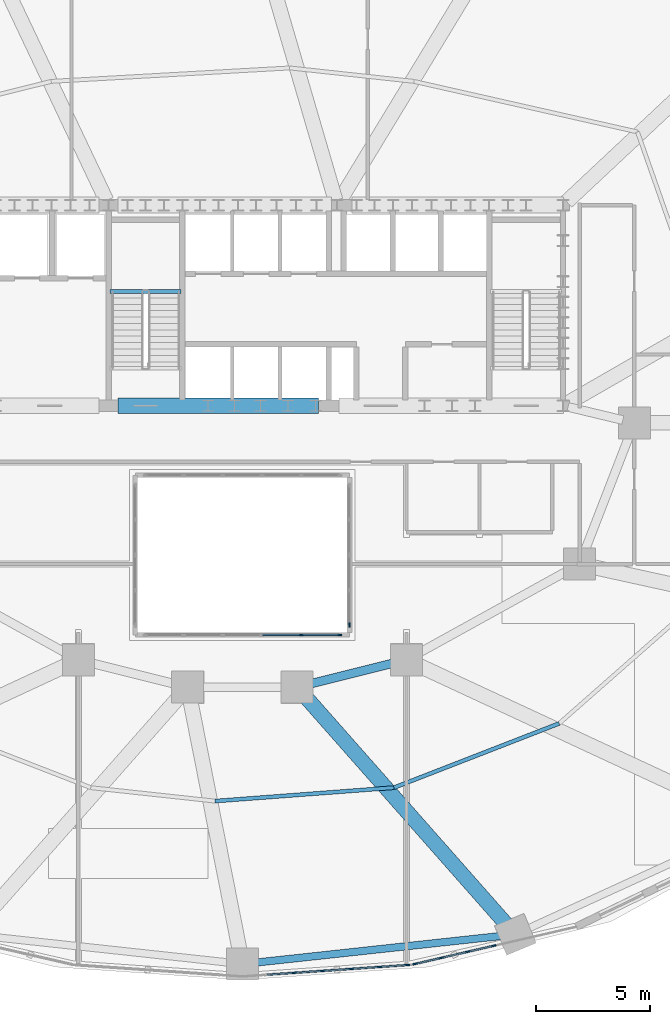
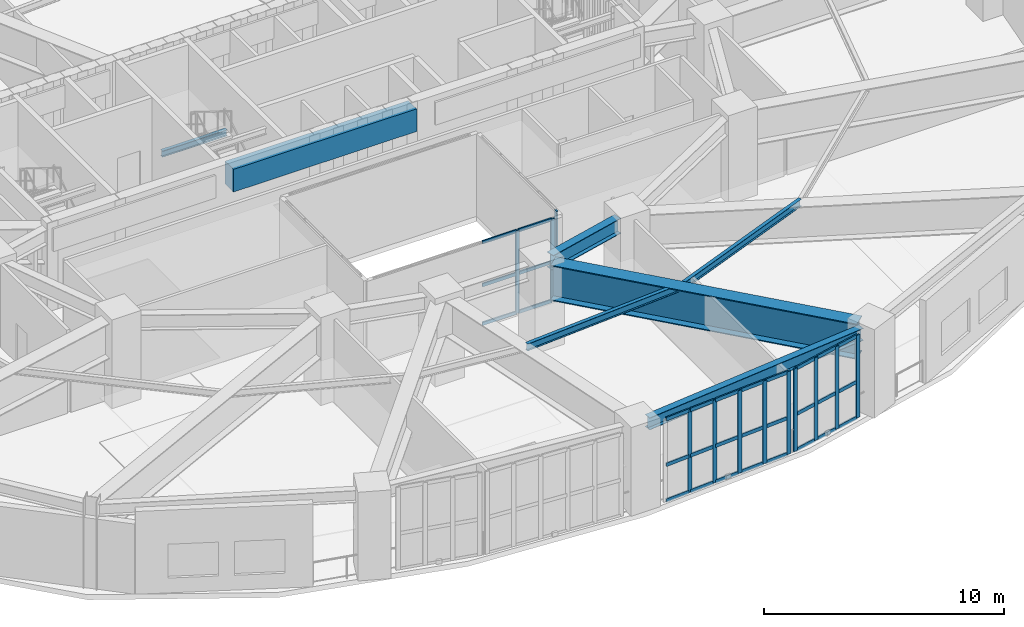
# One storey, part 5 of 13: 42 members, 7 beams, 4 elements without a shape of their own.
"""IFC4 building model written with IfcOpenShell, lengths in metres."""

from ifc_helpers import new_model, si_unit, direction, frame, origin, origin_2d, place, context, subcontext, project, spatial, rectangle, i_section, extrude, material, material_profile, profile_set, type_object, element, aggregate, save


model = new_model("IFC4")

# Units and contexts
model_context = context("Model", 3, precision=1e-05, world=origin(), true_north=direction((0.0, 1.0)))
body_context = subcontext(model_context, "Body", "Model", "MODEL_VIEW")
ifc_project = project(units=[si_unit("LENGTHUNIT", "METRE"), si_unit("AREAUNIT", "SQUARE_METRE"), si_unit("VOLUMEUNIT", "CUBIC_METRE"), si_unit("PLANEANGLEUNIT", "RADIAN"), si_unit("MASSUNIT", "GRAM", prefix="KILO")], contexts=[model_context])

# Site, building, storey
site_placement = place(None, origin())
site = spatial("IfcSite", under=ifc_project, at=site_placement, CompositionType="ELEMENT")
building_placement = place(site_placement, origin())
building = spatial("IfcBuilding", under=site, at=building_placement, Name="Haldorwick Loom Tower", CompositionType="ELEMENT")
storey_placement = place(building_placement, frame((0.0, 0.0, 72.300048828125)))
storey = spatial("IfcBuildingStorey", under=building, at=storey_placement, Name="L19", CompositionType="ELEMENT", Elevation=72.300048828125)

# Curtain wall, members
ifc_material_1 = material(Name="Thermally Broken Anodized Aluminium Curtain Wall Framing", Category="aluminium")
curtain_wall_type_1 = type_object("IfcCurtainWallType", Name="ARC-CW-03", PredefinedType="NOTDEFINED", material=ifc_material_1)
curtain_wall_1_placement = place(storey_placement, origin())
curtain_wall_1 = element("IfcCurtainWall", 1, at=curtain_wall_1_placement, inside=storey, type_object=curtain_wall_type_1, Name="L19 Atrium Glazed Screen S", PredefinedType="NOTDEFINED")
ifc_material_profile_1 = material_profile(ifc_material_1, rectangle(XDim=0.06591796875, YDim=0.18505859375, at=origin_2d()), Name="ALU_MUL_66X185", Category="aluminium")
ifc_profile_set_1 = profile_set([ifc_material_profile_1], Name="Thermally Broken Anodized Aluminium Curtain Wall Framing")
member_type_1 = type_object("IfcMemberType", Name="ARC-CWM-03", PredefinedType="MULLION", material=ifc_profile_set_1)
member_1_placement = place(storey_placement, frame((40.26708984375, 16.699951171875, 0.0), z_axis=(0.0, 0.0, 1.0), x_axis=(0.0, -1.0, 0.0)))
member_1 = element("IfcMember", 2, at=member_1_placement, type_object=member_type_1, Name="CW-03 mullion 1", PredefinedType="MULLION", context=body_context, shape_type="SweptSolid", body=[
    extrude(rectangle(XDim=0.06591796875, YDim=0.18505859375, at=origin_2d()), origin(), (0.0, 0.0, 1.0), 4.199951171875),
])
member_2_placement = place(storey_placement, frame((38.580078125, 16.699951171875, 0.0), z_axis=(0.0, 0.0, 1.0), x_axis=(0.0, -1.0, 0.0)))
member_2 = element("IfcMember", 3, at=member_2_placement, type_object=member_type_1, Name="CW-03 mullion 2", PredefinedType="MULLION", context=body_context, shape_type="SweptSolid", body=[
    extrude(rectangle(XDim=0.06591796875, YDim=0.18505859375, at=origin_2d()), origin(), (0.0, 0.0, 1.0), 4.199951171875),
])

# Curtain wall, member
curtain_wall_2_placement = place(storey_placement, origin())
curtain_wall_2 = element("IfcCurtainWall", 4, at=curtain_wall_2_placement, inside=storey, type_object=curtain_wall_type_1, Name="L19 Atrium Glazed Screen E", PredefinedType="NOTDEFINED")
member_3_placement = place(storey_placement, frame((40.699951171875, 17.133056640625, 0.0), z_axis=(0.0, 0.0, 1.0), x_axis=(1.0, 0.0, 0.0)))
member_3 = element("IfcMember", 5, at=member_3_placement, type_object=member_type_1, Name="CW-03 mullion 5", PredefinedType="MULLION", context=body_context, shape_type="SweptSolid", body=[
    extrude(rectangle(XDim=0.06591796875, YDim=0.18505859375, at=origin_2d()), origin(), (0.0, 0.0, 1.0), 4.199951171875),
])
aggregate(curtain_wall_2, [member_3])

# Curtain wall, members
curtain_wall_type_2 = type_object("IfcCurtainWallType", Name="ARC-CW-05", PredefinedType="NOTDEFINED", material=ifc_material_1)
curtain_wall_3_placement = place(storey_placement, origin())
curtain_wall_3 = element("IfcCurtainWall", 6, at=curtain_wall_3_placement, inside=storey, type_object=curtain_wall_type_2, Name="L19 Facade Curtain Wall CW-05 Bay 19", PredefinedType="NOTDEFINED")
ifc_material_profile_2 = material_profile(ifc_material_1, rectangle(XDim=0.068115234375, YDim=0.201904296875, at=origin_2d()), Name="ALU_MUL_68X202", Category="aluminium")
ifc_profile_set_2 = profile_set([ifc_material_profile_2], Name="Thermally Broken Anodized Aluminium Curtain Wall Framing")
member_type_2 = type_object("IfcMemberType", Name="ARC-CWM-05", PredefinedType="MULLION", material=ifc_profile_set_2)
member_4_placement = place(storey_placement, frame((38.281982421875, 1.866943359375, 0.0), z_axis=(0.0, 0.0, 1.0), x_axis=(-0.068589093134, 0.997644995128, 0.0)))
member_4 = element("IfcMember", 7, at=member_4_placement, type_object=member_type_2, Name="CW-05 mullion 2", PredefinedType="MULLION", context=body_context, shape_type="SweptSolid", body=[
    extrude(rectangle(XDim=0.068115234375, YDim=0.201904296875, at=origin_2d()), origin(), (0.0, 0.0, 1.0), 4.199951171875),
])
member_5_placement = place(storey_placement, frame((39.529296875, 1.95263671875, 0.0), z_axis=(0.0, 0.0, 1.0), x_axis=(-0.068589093134, 0.997644995128, 0.0)))
member_5 = element("IfcMember", 8, at=member_5_placement, type_object=member_type_2, Name="CW-05 mullion 3", PredefinedType="MULLION", context=body_context, shape_type="SweptSolid", body=[
    extrude(rectangle(XDim=0.068115234375, YDim=0.201904296875, at=origin_2d()), origin(), (0.0, 0.0, 1.0), 4.199951171875),
])
member_6_placement = place(storey_placement, frame((40.77685546875, 2.038330078125, 0.0), z_axis=(0.0, 0.0, 1.0), x_axis=(-0.068589093134, 0.997644995128, 0.0)))
member_6 = element("IfcMember", 9, at=member_6_placement, type_object=member_type_2, Name="CW-05 mullion 4", PredefinedType="MULLION", context=body_context, shape_type="SweptSolid", body=[
    extrude(rectangle(XDim=0.068115234375, YDim=0.201904296875, at=origin_2d()), origin(), (0.0, 0.0, 1.0), 4.199951171875),
])
member_7_placement = place(storey_placement, frame((42.024169921875, 2.1240234375, 0.0), z_axis=(0.0, 0.0, 1.0), x_axis=(-0.068589093134, 0.997644995128, 0.0)))
member_7 = element("IfcMember", 10, at=member_7_placement, type_object=member_type_2, Name="CW-05 mullion 5", PredefinedType="MULLION", context=body_context, shape_type="SweptSolid", body=[
    extrude(rectangle(XDim=0.068115234375, YDim=0.201904296875, at=origin_2d()), origin(), (0.0, 0.0, 1.0), 4.199951171875),
])
member_8_placement = place(storey_placement, frame((43.23779296875, 2.20751953125, 0.0), z_axis=(0.0, 0.0, 1.0), x_axis=(-0.068589093134, 0.997644995128, 0.0)))
member_8 = element("IfcMember", 11, at=member_8_placement, type_object=member_type_2, Name="CW-05 mullion 6", PredefinedType="MULLION", context=body_context, shape_type="SweptSolid", body=[
    extrude(rectangle(XDim=0.068115234375, YDim=0.201904296875, at=origin_2d()), origin(), (0.0, 0.0, 1.0), 4.199951171875),
])

curtain_wall_4_placement = place(storey_placement, origin())
curtain_wall_4 = element("IfcCurtainWall", 12, at=curtain_wall_4_placement, inside=storey, type_object=curtain_wall_type_2, Name="L19 Facade Curtain Wall CW-05 Bay 20", PredefinedType="NOTDEFINED")
member_9_placement = place(storey_placement, frame((43.580810546875, 2.258544921875, 0.0), z_axis=(0.0, 0.0, 1.0), x_axis=(-0.224288756442, 0.974522731256, 0.0)))
member_9 = element("IfcMember", 13, at=member_9_placement, type_object=member_type_2, Name="CW-05 mullion 1", PredefinedType="MULLION", context=body_context, shape_type="SweptSolid", body=[
    extrude(rectangle(XDim=0.068115234375, YDim=0.201904296875, at=origin_2d()), origin(), (0.0, 0.0, 1.0), 4.199951171875),
])
member_10_placement = place(storey_placement, frame((44.719970703125, 2.520751953125, 0.0), z_axis=(0.0, 0.0, 1.0), x_axis=(-0.224288756442, 0.974522731256, 0.0)))
member_10 = element("IfcMember", 14, at=member_10_placement, type_object=member_type_2, Name="CW-05 mullion 2", PredefinedType="MULLION", context=body_context, shape_type="SweptSolid", body=[
    extrude(rectangle(XDim=0.068115234375, YDim=0.201904296875, at=origin_2d()), origin(), (0.0, 0.0, 1.0), 4.199951171875),
])
member_11_placement = place(storey_placement, frame((45.892333984375, 2.79052734375, 0.0), z_axis=(0.0, 0.0, 1.0), x_axis=(-0.224288756442, 0.974522731256, 0.0)))
member_11 = element("IfcMember", 15, at=member_11_placement, type_object=member_type_2, Name="CW-05 mullion 3", PredefinedType="MULLION", context=body_context, shape_type="SweptSolid", body=[
    extrude(rectangle(XDim=0.068115234375, YDim=0.201904296875, at=origin_2d()), origin(), (0.0, 0.0, 1.0), 4.199951171875),
])
member_12_placement = place(storey_placement, frame((47.03125, 3.052734375, 0.0), z_axis=(0.0, 0.0, 1.0), x_axis=(-0.224288756442, 0.974522731256, 0.0)))
member_12 = element("IfcMember", 16, at=member_12_placement, type_object=member_type_2, Name="CW-05 mullion 4", PredefinedType="MULLION", context=body_context, shape_type="SweptSolid", body=[
    extrude(rectangle(XDim=0.068115234375, YDim=0.201904296875, at=origin_2d()), origin(), (0.0, 0.0, 1.0), 4.199951171875),
])

# Member
ifc_material_profile_3 = material_profile(ifc_material_1, rectangle(XDim=0.06591796875, YDim=0.1650390625, at=origin_2d()), Name="ALU_TRN_66X165", Category="aluminium")
ifc_profile_set_3 = profile_set([ifc_material_profile_3], Name="Thermally Broken Anodized Aluminium Curtain Wall Framing")
member_type_3 = type_object("IfcMemberType", Name="ARC-CWT-03", PredefinedType="USERDEFINED", material=ifc_profile_set_3)
member_13_placement = place(storey_placement, frame((40.23388671875, 16.699951171875, 0.032958984375), z_axis=(-1.0, 0.0, 0.0), x_axis=(0.0, -1.0, 0.0)))
member_13 = element("IfcMember", 17, at=member_13_placement, type_object=member_type_3, Name="CW-03 transom 1.1", ObjectType="TRANSOM", PredefinedType="USERDEFINED", context=body_context, shape_type="SweptSolid", body=[
    extrude(rectangle(XDim=0.06591796875, YDim=0.1650390625, at=origin_2d()), origin(), (0.0, 0.0, 1.0), 1.620849609375),
])

member_14_placement = place(storey_placement, frame((40.23388671875, 16.699951171875, 2.0), z_axis=(-1.0, 0.0, 0.0), x_axis=(0.0, -1.0, 0.0)))
member_14 = element("IfcMember", 18, at=member_14_placement, type_object=member_type_3, Name="CW-03 transom 1.2", ObjectType="TRANSOM", PredefinedType="USERDEFINED", context=body_context, shape_type="SweptSolid", body=[
    extrude(rectangle(XDim=0.06591796875, YDim=0.1650390625, at=origin_2d()), origin(), (0.0, 0.0, 1.0), 1.620849609375),
])

member_15_placement = place(storey_placement, frame((40.23388671875, 16.699951171875, 4.1669921875), z_axis=(-1.0, 0.0, 0.0), x_axis=(0.0, -1.0, 0.0)))
member_15 = element("IfcMember", 19, at=member_15_placement, type_object=member_type_3, Name="CW-03 transom 1.3", ObjectType="TRANSOM", PredefinedType="USERDEFINED", context=body_context, shape_type="SweptSolid", body=[
    extrude(rectangle(XDim=0.06591796875, YDim=0.1650390625, at=origin_2d()), origin(), (0.0, 0.0, 1.0), 1.620849609375),
])

member_16_placement = place(storey_placement, frame((38.547119140625, 16.699951171875, 0.032958984375), z_axis=(-1.0, 0.0, 0.0), x_axis=(0.0, -1.0, 0.0)))
member_16 = element("IfcMember", 20, at=member_16_placement, type_object=member_type_3, Name="CW-03 transom 2.1", ObjectType="TRANSOM", PredefinedType="USERDEFINED", context=body_context, shape_type="SweptSolid", body=[
    extrude(rectangle(XDim=0.06591796875, YDim=0.1650390625, at=origin_2d()), origin(), (0.0, 0.0, 1.0), 1.654052734375),
])

member_17_placement = place(storey_placement, frame((38.547119140625, 16.699951171875, 2.0), z_axis=(-1.0, 0.0, 0.0), x_axis=(0.0, -1.0, 0.0)))
member_17 = element("IfcMember", 21, at=member_17_placement, type_object=member_type_3, Name="CW-03 transom 2.2", ObjectType="TRANSOM", PredefinedType="USERDEFINED", context=body_context, shape_type="SweptSolid", body=[
    extrude(rectangle(XDim=0.06591796875, YDim=0.1650390625, at=origin_2d()), origin(), (0.0, 0.0, 1.0), 1.654052734375),
])

member_18_placement = place(storey_placement, frame((38.547119140625, 16.699951171875, 4.1669921875), z_axis=(-1.0, 0.0, 0.0), x_axis=(0.0, -1.0, 0.0)))
member_18 = element("IfcMember", 22, at=member_18_placement, type_object=member_type_3, Name="CW-03 transom 2.3", ObjectType="TRANSOM", PredefinedType="USERDEFINED", context=body_context, shape_type="SweptSolid", body=[
    extrude(rectangle(XDim=0.06591796875, YDim=0.1650390625, at=origin_2d()), origin(), (0.0, 0.0, 1.0), 1.654052734375),
])

aggregate(curtain_wall_1, [member_1, member_2, member_13, member_14, member_15, member_16, member_17, member_18])

ifc_material_profile_4 = material_profile(ifc_material_1, rectangle(XDim=0.068115234375, YDim=0.181884765625, at=origin_2d()), Name="ALU_TRN_68X182", Category="aluminium")
ifc_profile_set_4 = profile_set([ifc_material_profile_4], Name="Thermally Broken Anodized Aluminium Curtain Wall Framing")
member_type_4 = type_object("IfcMemberType", Name="ARC-CWT-05", PredefinedType="USERDEFINED", material=ifc_profile_set_4)
member_19_placement = place(storey_placement, frame((37.1025390625, 1.78564453125, 0.033935546875), z_axis=(0.997638876056, 0.068678038569, 0.0), x_axis=(-0.068678038569, 0.997638876056, 0.0)))
member_19 = element("IfcMember", 23, at=member_19_placement, type_object=member_type_4, Name="CW-05 transom 1.1", ObjectType="TRANSOM", PredefinedType="USERDEFINED", context=body_context, shape_type="SweptSolid", body=[
    extrude(rectangle(XDim=0.068115234375, YDim=0.181884765625, at=origin_2d()), origin(), (0.0, 0.0, 1.0), 1.148193359375),
])

member_20_placement = place(storey_placement, frame((37.1025390625, 1.78564453125, 1.849853515625), z_axis=(0.997638876056, 0.068678038569, 0.0), x_axis=(-0.068678038569, 0.997638876056, 0.0)))
member_20 = element("IfcMember", 24, at=member_20_placement, type_object=member_type_4, Name="CW-05 transom 1.2", ObjectType="TRANSOM", PredefinedType="USERDEFINED", context=body_context, shape_type="SweptSolid", body=[
    extrude(rectangle(XDim=0.068115234375, YDim=0.181884765625, at=origin_2d()), origin(), (0.0, 0.0, 1.0), 1.148193359375),
])

member_21_placement = place(storey_placement, frame((37.1025390625, 1.78564453125, 4.166015625), z_axis=(0.997638876056, 0.068678038569, 0.0), x_axis=(-0.068678038569, 0.997638876056, 0.0)))
member_21 = element("IfcMember", 25, at=member_21_placement, type_object=member_type_4, Name="CW-05 transom 1.3", ObjectType="TRANSOM", PredefinedType="USERDEFINED", context=body_context, shape_type="SweptSolid", body=[
    extrude(rectangle(XDim=0.068115234375, YDim=0.181884765625, at=origin_2d()), origin(), (0.0, 0.0, 1.0), 1.148193359375),
])

member_22_placement = place(storey_placement, frame((38.31591796875, 1.869140625, 0.033935546875), z_axis=(0.997646917829, 0.068561121242, 0.0), x_axis=(-0.068561121242, 0.997646917829, 0.0)))
member_22 = element("IfcMember", 26, at=member_22_placement, type_object=member_type_4, Name="CW-05 transom 2.1", ObjectType="TRANSOM", PredefinedType="USERDEFINED", context=body_context, shape_type="SweptSolid", body=[
    extrude(rectangle(XDim=0.068115234375, YDim=0.181884765625, at=origin_2d()), origin(), (0.0, 0.0, 1.0), 1.18212890625),
])

member_23_placement = place(storey_placement, frame((38.31591796875, 1.869140625, 1.849853515625), z_axis=(0.997646917829, 0.068561121242, 0.0), x_axis=(-0.068561121242, 0.997646917829, 0.0)))
member_23 = element("IfcMember", 27, at=member_23_placement, type_object=member_type_4, Name="CW-05 transom 2.2", ObjectType="TRANSOM", PredefinedType="USERDEFINED", context=body_context, shape_type="SweptSolid", body=[
    extrude(rectangle(XDim=0.068115234375, YDim=0.181884765625, at=origin_2d()), origin(), (0.0, 0.0, 1.0), 1.18212890625),
])

member_24_placement = place(storey_placement, frame((38.31591796875, 1.869140625, 4.166015625), z_axis=(0.997646917829, 0.068561121242, 0.0), x_axis=(-0.068561121242, 0.997646917829, 0.0)))
member_24 = element("IfcMember", 28, at=member_24_placement, type_object=member_type_4, Name="CW-05 transom 2.3", ObjectType="TRANSOM", PredefinedType="USERDEFINED", context=body_context, shape_type="SweptSolid", body=[
    extrude(rectangle(XDim=0.068115234375, YDim=0.181884765625, at=origin_2d()), origin(), (0.0, 0.0, 1.0), 1.18212890625),
])

member_25_placement = place(storey_placement, frame((39.563232421875, 1.954833984375, 0.033935546875), z_axis=(0.997633747894, 0.068752491318, 0.0), x_axis=(-0.068752491318, 0.997633747894, 0.0)))
member_25 = element("IfcMember", 29, at=member_25_placement, type_object=member_type_4, Name="CW-05 transom 3.1", ObjectType="TRANSOM", PredefinedType="USERDEFINED", context=body_context, shape_type="SweptSolid", body=[
    extrude(rectangle(XDim=0.068115234375, YDim=0.181884765625, at=origin_2d()), origin(), (0.0, 0.0, 1.0), 1.182373046875),
])

member_26_placement = place(storey_placement, frame((39.563232421875, 1.954833984375, 1.849853515625), z_axis=(0.997633747894, 0.068752491318, 0.0), x_axis=(-0.068752491318, 0.997633747894, 0.0)))
member_26 = element("IfcMember", 30, at=member_26_placement, type_object=member_type_4, Name="CW-05 transom 3.2", ObjectType="TRANSOM", PredefinedType="USERDEFINED", context=body_context, shape_type="SweptSolid", body=[
    extrude(rectangle(XDim=0.068115234375, YDim=0.181884765625, at=origin_2d()), origin(), (0.0, 0.0, 1.0), 1.182373046875),
])

member_27_placement = place(storey_placement, frame((39.563232421875, 1.954833984375, 4.166015625), z_axis=(0.997633747894, 0.068752491318, 0.0), x_axis=(-0.068752491318, 0.997633747894, 0.0)))
member_27 = element("IfcMember", 31, at=member_27_placement, type_object=member_type_4, Name="CW-05 transom 3.3", ObjectType="TRANSOM", PredefinedType="USERDEFINED", context=body_context, shape_type="SweptSolid", body=[
    extrude(rectangle(XDim=0.068115234375, YDim=0.181884765625, at=origin_2d()), origin(), (0.0, 0.0, 1.0), 1.182373046875),
])

member_28_placement = place(storey_placement, frame((40.810791015625, 2.040771484375, 0.033935546875), z_axis=(0.997646917829, 0.068561121242, 0.0), x_axis=(-0.068561121242, 0.997646917829, 0.0)))
member_28 = element("IfcMember", 32, at=member_28_placement, type_object=member_type_4, Name="CW-05 transom 4.1", ObjectType="TRANSOM", PredefinedType="USERDEFINED", context=body_context, shape_type="SweptSolid", body=[
    extrude(rectangle(XDim=0.068115234375, YDim=0.181884765625, at=origin_2d()), origin(), (0.0, 0.0, 1.0), 1.18212890625),
])

member_29_placement = place(storey_placement, frame((40.810791015625, 2.040771484375, 1.849853515625), z_axis=(0.997646917829, 0.068561121242, 0.0), x_axis=(-0.068561121242, 0.997646917829, 0.0)))
member_29 = element("IfcMember", 33, at=member_29_placement, type_object=member_type_4, Name="CW-05 transom 4.2", ObjectType="TRANSOM", PredefinedType="USERDEFINED", context=body_context, shape_type="SweptSolid", body=[
    extrude(rectangle(XDim=0.068115234375, YDim=0.181884765625, at=origin_2d()), origin(), (0.0, 0.0, 1.0), 1.18212890625),
])

member_30_placement = place(storey_placement, frame((40.810791015625, 2.040771484375, 4.166015625), z_axis=(0.997646917829, 0.068561121242, 0.0), x_axis=(-0.068561121242, 0.997646917829, 0.0)))
member_30 = element("IfcMember", 34, at=member_30_placement, type_object=member_type_4, Name="CW-05 transom 4.3", ObjectType="TRANSOM", PredefinedType="USERDEFINED", context=body_context, shape_type="SweptSolid", body=[
    extrude(rectangle(XDim=0.068115234375, YDim=0.181884765625, at=origin_2d()), origin(), (0.0, 0.0, 1.0), 1.18212890625),
])

member_31_placement = place(storey_placement, frame((42.05810546875, 2.12646484375, 0.033935546875), z_axis=(0.997639878622, 0.068663473427, 0.0), x_axis=(-0.068663473427, 0.997639878622, 0.0)))
member_31 = element("IfcMember", 35, at=member_31_placement, type_object=member_type_4, Name="CW-05 transom 5.1", ObjectType="TRANSOM", PredefinedType="USERDEFINED", context=body_context, shape_type="SweptSolid", body=[
    extrude(rectangle(XDim=0.068115234375, YDim=0.181884765625, at=origin_2d()), origin(), (0.0, 0.0, 1.0), 1.1484375),
])

member_32_placement = place(storey_placement, frame((42.05810546875, 2.12646484375, 1.849853515625), z_axis=(0.997639878622, 0.068663473427, 0.0), x_axis=(-0.068663473427, 0.997639878622, 0.0)))
member_32 = element("IfcMember", 36, at=member_32_placement, type_object=member_type_4, Name="CW-05 transom 5.2", ObjectType="TRANSOM", PredefinedType="USERDEFINED", context=body_context, shape_type="SweptSolid", body=[
    extrude(rectangle(XDim=0.068115234375, YDim=0.181884765625, at=origin_2d()), origin(), (0.0, 0.0, 1.0), 1.1484375),
])

member_33_placement = place(storey_placement, frame((42.05810546875, 2.12646484375, 4.166015625), z_axis=(0.997639878622, 0.068663473427, 0.0), x_axis=(-0.068663473427, 0.997639878622, 0.0)))
member_33 = element("IfcMember", 37, at=member_33_placement, type_object=member_type_4, Name="CW-05 transom 5.3", ObjectType="TRANSOM", PredefinedType="USERDEFINED", context=body_context, shape_type="SweptSolid", body=[
    extrude(rectangle(XDim=0.068115234375, YDim=0.181884765625, at=origin_2d()), origin(), (0.0, 0.0, 1.0), 1.1484375),
])

aggregate(curtain_wall_3, [member_4, member_5, member_6, member_7, member_8, member_19, member_20, member_21, member_22, member_23, member_24, member_25, member_26, member_27, member_28, member_29, member_30, member_31, member_32, member_33])

member_34_placement = place(storey_placement, frame((43.614013671875, 2.26611328125, 0.033935546875), z_axis=(0.974488287885, 0.224438358521, 0.0), x_axis=(-0.224438358521, 0.974488287885, 0.0)))
member_34 = element("IfcMember", 38, at=member_34_placement, type_object=member_type_4, Name="CW-05 transom 1.1", ObjectType="TRANSOM", PredefinedType="USERDEFINED", context=body_context, shape_type="SweptSolid", body=[
    extrude(rectangle(XDim=0.068115234375, YDim=0.181884765625, at=origin_2d()), origin(), (0.0, 0.0, 1.0), 1.100830078125),
])

member_35_placement = place(storey_placement, frame((43.614013671875, 2.26611328125, 1.849853515625), z_axis=(0.974488287885, 0.224438358521, 0.0), x_axis=(-0.224438358521, 0.974488287885, 0.0)))
member_35 = element("IfcMember", 39, at=member_35_placement, type_object=member_type_4, Name="CW-05 transom 1.2", ObjectType="TRANSOM", PredefinedType="USERDEFINED", context=body_context, shape_type="SweptSolid", body=[
    extrude(rectangle(XDim=0.068115234375, YDim=0.181884765625, at=origin_2d()), origin(), (0.0, 0.0, 1.0), 1.100830078125),
])

member_36_placement = place(storey_placement, frame((43.614013671875, 2.26611328125, 4.166015625), z_axis=(0.974488287885, 0.224438358521, 0.0), x_axis=(-0.224438358521, 0.974488287885, 0.0)))
member_36 = element("IfcMember", 40, at=member_36_placement, type_object=member_type_4, Name="CW-05 transom 1.3", ObjectType="TRANSOM", PredefinedType="USERDEFINED", context=body_context, shape_type="SweptSolid", body=[
    extrude(rectangle(XDim=0.068115234375, YDim=0.181884765625, at=origin_2d()), origin(), (0.0, 0.0, 1.0), 1.100830078125),
])

member_37_placement = place(storey_placement, frame((44.753173828125, 2.5283203125, 0.033935546875), z_axis=(0.974503469266, 0.224372432328, 0.0), x_axis=(-0.224372432328, 0.974503469266, 0.0)))
member_37 = element("IfcMember", 41, at=member_37_placement, type_object=member_type_4, Name="CW-05 transom 2.1", ObjectType="TRANSOM", PredefinedType="USERDEFINED", context=body_context, shape_type="SweptSolid", body=[
    extrude(rectangle(XDim=0.068115234375, YDim=0.181884765625, at=origin_2d()), origin(), (0.0, 0.0, 1.0), 1.135009765625),
])

member_38_placement = place(storey_placement, frame((44.753173828125, 2.5283203125, 1.849853515625), z_axis=(0.974503469266, 0.224372432328, 0.0), x_axis=(-0.224372432328, 0.974503469266, 0.0)))
member_38 = element("IfcMember", 42, at=member_38_placement, type_object=member_type_4, Name="CW-05 transom 2.2", ObjectType="TRANSOM", PredefinedType="USERDEFINED", context=body_context, shape_type="SweptSolid", body=[
    extrude(rectangle(XDim=0.068115234375, YDim=0.181884765625, at=origin_2d()), origin(), (0.0, 0.0, 1.0), 1.135009765625),
])

member_39_placement = place(storey_placement, frame((44.753173828125, 2.5283203125, 4.166015625), z_axis=(0.974503469266, 0.224372432328, 0.0), x_axis=(-0.224372432328, 0.974503469266, 0.0)))
member_39 = element("IfcMember", 43, at=member_39_placement, type_object=member_type_4, Name="CW-05 transom 2.3", ObjectType="TRANSOM", PredefinedType="USERDEFINED", context=body_context, shape_type="SweptSolid", body=[
    extrude(rectangle(XDim=0.068115234375, YDim=0.181884765625, at=origin_2d()), origin(), (0.0, 0.0, 1.0), 1.135009765625),
])

member_40_placement = place(storey_placement, frame((45.92529296875, 2.798095703125, 0.033935546875), z_axis=(0.974499455745, 0.224389863302, 0.0), x_axis=(-0.224389863302, 0.974499455745, 0.0)))
member_40 = element("IfcMember", 44, at=member_40_placement, type_object=member_type_4, Name="CW-05 transom 3.1", ObjectType="TRANSOM", PredefinedType="USERDEFINED", context=body_context, shape_type="SweptSolid", body=[
    extrude(rectangle(XDim=0.068115234375, YDim=0.181884765625, at=origin_2d()), origin(), (0.0, 0.0, 1.0), 1.10107421875),
])

member_41_placement = place(storey_placement, frame((45.92529296875, 2.798095703125, 1.849853515625), z_axis=(0.974499455745, 0.224389863302, 0.0), x_axis=(-0.224389863302, 0.974499455745, 0.0)))
member_41 = element("IfcMember", 45, at=member_41_placement, type_object=member_type_4, Name="CW-05 transom 3.2", ObjectType="TRANSOM", PredefinedType="USERDEFINED", context=body_context, shape_type="SweptSolid", body=[
    extrude(rectangle(XDim=0.068115234375, YDim=0.181884765625, at=origin_2d()), origin(), (0.0, 0.0, 1.0), 1.10107421875),
])

member_42_placement = place(storey_placement, frame((45.92529296875, 2.798095703125, 4.166015625), z_axis=(0.974499455745, 0.224389863302, 0.0), x_axis=(-0.224389863302, 0.974499455745, 0.0)))
member_42 = element("IfcMember", 46, at=member_42_placement, type_object=member_type_4, Name="CW-05 transom 3.3", ObjectType="TRANSOM", PredefinedType="USERDEFINED", context=body_context, shape_type="SweptSolid", body=[
    extrude(rectangle(XDim=0.068115234375, YDim=0.181884765625, at=origin_2d()), origin(), (0.0, 0.0, 1.0), 1.10107421875),
])

aggregate(curtain_wall_4, [member_9, member_10, member_11, member_12, member_34, member_35, member_36, member_37, member_38, member_39, member_40, member_41, member_42])

# Beams
ifc_material_2 = material(Name="Concrete C60 (60 MPa)", Category="concrete")
ifc_material_profile_5 = material_profile(ifc_material_2, rectangle(XDim=0.699951171875, YDim=1.14990234375, at=origin_2d()), Name="RC700X1150", Category="concrete")
ifc_profile_set_5 = profile_set([ifc_material_profile_5], Name="Concrete C60 (60 MPa)")
beam_type_1 = type_object("IfcBeamType", Name="STR-BM-CB1150", PredefinedType="LINTEL", material=ifc_profile_set_5)
beam_1_placement = place(storey_placement, frame((30.550048828125, 26.75, 3.625), z_axis=(1.0, 0.0, 0.0), x_axis=(0.0, 1.0, 0.0)))
element("IfcBeam", 47, at=beam_1_placement, inside=storey, type_object=beam_type_1, Name="L19 Core Coupling Beam CB-S2", PredefinedType="LINTEL", context=body_context, shape_type="SweptSolid", body=[
    extrude(rectangle(XDim=0.699951171875, YDim=1.14990234375, at=origin_2d()), origin(), (0.0, 0.0, 1.0), 8.800048828125),
])
ifc_material_3 = material(Name="Steel CSA G40.21 350W", Category="steel")
ifc_material_profile_6 = material_profile(ifc_material_3, i_section(OverallWidth=0.172119140625, OverallDepth=0.35791015625, WebThickness=0.0078125, FlangeThickness=0.01318359375, at=origin_2d()), Name="W360X57", Category="steel")
ifc_profile_set_6 = profile_set([ifc_material_profile_6], Name="Steel CSA G40.21 350W")
beam_type_2 = type_object("IfcBeamType", Name="STR-BM-J360", PredefinedType="JOIST", material=ifc_profile_set_6)
beam_2_placement = place(storey_placement, frame((34.800048828125, 9.40087890625, 4.02099609375), z_axis=(0.99718663731, 0.074958724439, 0.0), x_axis=(-0.074958724439, 0.99718663731, 0.0)))
element("IfcBeam", 48, at=beam_2_placement, inside=storey, type_object=beam_type_2, Name="L19 Mid-Bay Secondary Joist 13", PredefinedType="JOIST", context=body_context, shape_type="SweptSolid", body=[
    extrude(i_section(OverallWidth=0.172119140625, OverallDepth=0.35791015625, WebThickness=0.0078125, FlangeThickness=0.01318359375, at=origin_2d()), origin(), (0.0, 0.0, 1.0), 7.87548828125),
])
beam_3_placement = place(storey_placement, frame((42.6533203125, 9.9912109375, 4.02099609375), z_axis=(0.932072983051, 0.362270553959, 0.0), x_axis=(-0.362270553959, 0.932072983051, 0.0)))
element("IfcBeam", 49, at=beam_3_placement, inside=storey, type_object=beam_type_2, Name="L19 Mid-Bay Secondary Joist 14", PredefinedType="JOIST", context=body_context, shape_type="SweptSolid", body=[
    extrude(i_section(OverallWidth=0.172119140625, OverallDepth=0.35791015625, WebThickness=0.0078125, FlangeThickness=0.01318359375, at=origin_2d()), origin(), (0.0, 0.0, 1.0), 7.7783203125),
])
ifc_material_profile_7 = material_profile(ifc_material_3, i_section(OverallWidth=0.324951171875, OverallDepth=0.615966796875, WebThickness=0.013916015625, FlangeThickness=0.021484375, at=origin_2d()), Name="W610X174", Category="steel")
ifc_profile_set_7 = profile_set([ifc_material_profile_7], Name="Steel CSA G40.21 350W")
beam_type_3 = type_object("IfcBeamType", Name="STR-BM-SP610", PredefinedType="SPANDREL", material=ifc_profile_set_7)
beam_4_placement = place(storey_placement, frame((36.51708984375, 2.30615234375, 3.891845703125), z_axis=(0.994164438636, 0.107875247167, 0.0), x_axis=(-0.107875247167, 0.994164438636, 0.0)))
element("IfcBeam", 50, at=beam_4_placement, inside=storey, type_object=beam_type_3, Name="L19 Perimeter Spandrel 13", PredefinedType="SPANDREL", context=body_context, shape_type="SweptSolid", body=[
    extrude(i_section(OverallWidth=0.324951171875, OverallDepth=0.615966796875, WebThickness=0.013916015625, FlangeThickness=0.021484375, at=origin_2d()), origin(), (0.0, 0.0, 1.0), 11.008056640625),
])
ifc_material_profile_8 = material_profile(ifc_material_3, i_section(OverallWidth=0.166015625, OverallDepth=0.31298828125, WebThickness=0.006591796875, FlangeThickness=0.01123046875, at=origin_2d()), Name="W310X45", Category="steel")
ifc_profile_set_8 = profile_set([ifc_material_profile_8], Name="Steel CSA G40.21 350W")
beam_type_4 = type_object("IfcBeamType", Name="STR-BM-STRM", PredefinedType="BEAM", material=ifc_profile_set_8)
beam_5_placement = place(storey_placement, frame((30.18994140625, 31.760009765625, 1.8935546875), z_axis=(1.0, 0.0, 0.0), x_axis=(0.0, 1.0, 0.0)))
element("IfcBeam", 51, at=beam_5_placement, inside=storey, type_object=beam_type_4, Name="L19 Stair ST-03 Half-Landing Trimmer 1", PredefinedType="BEAM", context=body_context, shape_type="SweptSolid", body=[
    extrude(i_section(OverallWidth=0.166015625, OverallDepth=0.31298828125, WebThickness=0.006591796875, FlangeThickness=0.01123046875, at=origin_2d()), origin(), (0.0, 0.0, 1.0), 3.1201171875),
])
ifc_material_4 = material(Name="Steel CSA G40.21 350WT", Category="steel")
ifc_material_profile_9 = material_profile(ifc_material_4, i_section(OverallWidth=0.64990234375, OverallDepth=1.800048828125, WebThickness=0.02587890625, FlangeThickness=0.048095703125, at=origin_2d()), Name="WWF1800X650", Category="steel")
ifc_profile_set_9 = profile_set([ifc_material_profile_9], Name="Steel CSA G40.21 350WT")
beam_type_5 = type_object("IfcBeamType", Name="STR-BM-TG1800", PredefinedType="BEAM", material=ifc_profile_set_9)
beam_6_placement = place(storey_placement, frame((38.744140625, 14.01025390625, 3.300048828125), z_axis=(0.661774304332, -0.749703121326, 0.0), x_axis=(0.749703121326, 0.661774304332, 0.0)))
element("IfcBeam", 52, at=beam_6_placement, inside=storey, type_object=beam_type_5, Name="L19 Setback Inner Transfer Girder 14", PredefinedType="BEAM", context=body_context, shape_type="SweptSolid", body=[
    extrude(i_section(OverallWidth=0.64990234375, OverallDepth=1.800048828125, WebThickness=0.02587890625, FlangeThickness=0.048095703125, at=origin_2d()), origin(), (0.0, 0.0, 1.0), 13.43310546875),
])
ifc_material_profile_10 = material_profile(ifc_material_3, i_section(OverallWidth=0.381103515625, OverallDepth=0.77294921875, WebThickness=0.0166015625, FlangeThickness=0.027587890625, at=origin_2d()), Name="W760X257", Category="steel")
ifc_profile_set_10 = profile_set([ifc_material_profile_10], Name="Steel CSA G40.21 350W")
beam_type_6 = type_object("IfcBeamType", Name="STR-BM-W760", PredefinedType="BEAM", material=ifc_profile_set_10)
beam_7_placement = place(storey_placement, frame((42.695556640625, 15.473876953125, 3.8134765625), z_axis=(-0.970142500145, -0.242535625036, 0.0), x_axis=(0.242535625036, -0.970142500145, 0.0)))
element("IfcBeam", 53, at=beam_7_placement, inside=storey, type_object=beam_type_6, Name="L19 Inner Ring Girder 4", PredefinedType="BEAM", context=body_context, shape_type="SweptSolid", body=[
    extrude(i_section(OverallWidth=0.381103515625, OverallDepth=0.77294921875, WebThickness=0.0166015625, FlangeThickness=0.027587890625, at=origin_2d()), origin(), (0.0, 0.0, 1.0), 3.90771484375),
])

save(model, "model.ifc")
